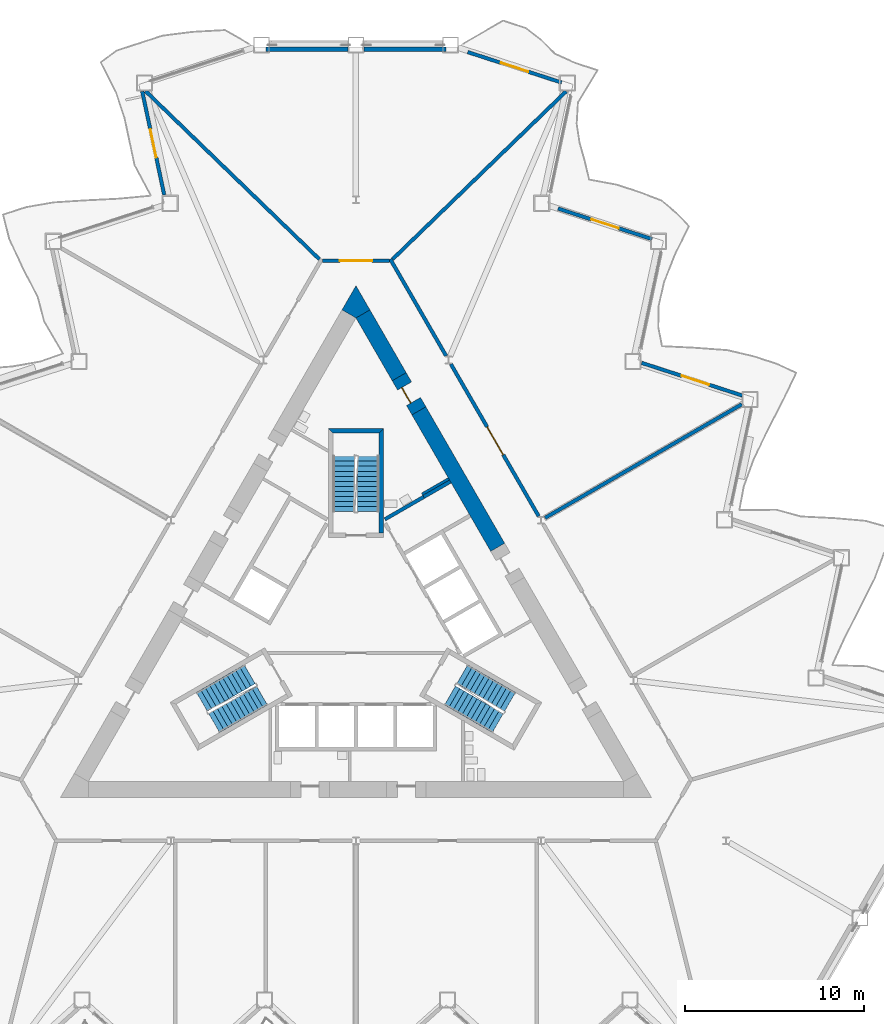
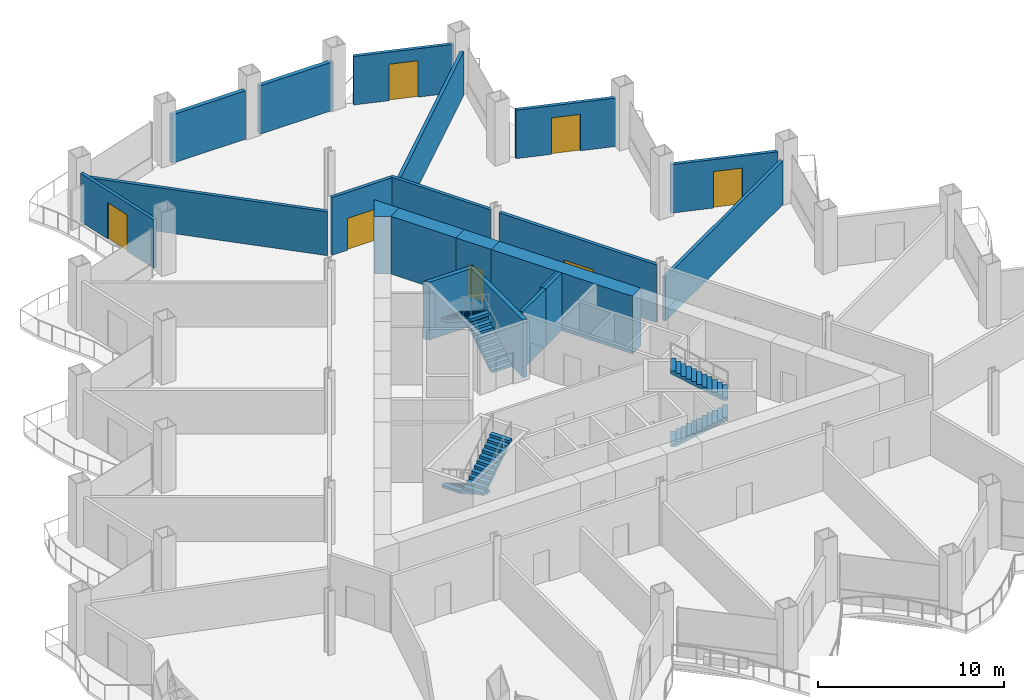
# One storey, part 13 of 21: 21 walls, 7 doors, 6 stair flights, 7 openings, 3 elements without a shape of their own.
"""IFC4 building model written with IfcOpenShell, lengths in metres."""

from ifc_helpers import new_model, si_unit, direction, frame, frame_2d, origin, place, context, subcontext, project, spatial, polyline, rectangle, outline, extrude, material, layer, layer_set, type_object, element, fill, aggregate, save


model = new_model("IFC4")

# Units and contexts
model_context = context("Model", 3, precision=1e-05, world=origin(), true_north=direction((0.0, 1.0)))
body_context = subcontext(model_context, "Body", "Model", "MODEL_VIEW")
ifc_project = project(units=[si_unit("LENGTHUNIT", "METRE"), si_unit("AREAUNIT", "SQUARE_METRE"), si_unit("VOLUMEUNIT", "CUBIC_METRE"), si_unit("PLANEANGLEUNIT", "RADIAN"), si_unit("MASSUNIT", "GRAM", prefix="KILO")], contexts=[model_context])

# Site, building, storey
site_placement = place(None, origin())
site = spatial("IfcSite", under=ifc_project, at=site_placement, CompositionType="ELEMENT")
building_placement = place(site_placement, origin())
building = spatial("IfcBuilding", under=site, at=building_placement, Name="Cormorant Prow Tower", CompositionType="ELEMENT")
storey_placement = place(building_placement, frame((0.0, 0.0, 124.800048828125)))
storey = spatial("IfcBuildingStorey", under=building, at=storey_placement, Name="L26", CompositionType="ELEMENT", Elevation=124.800048828125)

# Walls
ifc_material_1 = material(Name="Gypsum board partition")
ifc_layer_1 = layer(ifc_material_1, 0.14990234375)
ifc_layer_set_1 = layer_set([ifc_layer_1], Name="Gypsum board partition")
wall_type_1 = type_object("IfcWallType", Name="Core partition 150", PredefinedType="PARTITIONING", material=ifc_layer_set_1)
wall_1_placement = place(storey_placement, frame((3.693359375, 7.4150390625, 0.0), z_axis=(0.0, 0.0, 1.0), x_axis=(0.866024871741, 0.500000921525, 0.0)))
element("IfcWall", 1, at=wall_1_placement, inside=storey, type_object=wall_type_1, Name="Service room partition", PredefinedType="PARTITIONING", context=body_context, shape_type="SweptSolid", body=[
    extrude(rectangle(XDim=1.72021484375, YDim=0.14990234375, at=frame_2d((0.860107421875, 0.0))), origin(), (0.0, 0.0, 1.0), 3.800048828125),
])
ifc_material_2 = material(Name="Concrete 8000 psi", Category="concrete")
ifc_layer_2 = layer(ifc_material_2, 0.89990234375)
ifc_layer_set_2 = layer_set([ifc_layer_2], Name="Concrete 8000 psi")
wall_type_2 = type_object("IfcWallType", Name="Core shear wall 900", PredefinedType="SHEAR", material=ifc_layer_set_2)
wall_2_placement = place(storey_placement, frame((7.910400390625, 4.451416015625, 0.0), z_axis=(0.0, 0.0, 1.0), x_axis=(-0.500001962043, 0.866024270995, 0.0)))
element("IfcWall", 2, at=wall_2_placement, inside=storey, type_object=wall_type_2, Name="Core wall", PredefinedType="SHEAR", context=body_context, shape_type="SweptSolid", body=[
    extrude(rectangle(XDim=8.7958984375, YDim=0.89990234375, at=frame_2d((4.39794921875, 0.0))), origin(), (0.0, 0.0, 1.0), 3.800048828125),
])
wall_3_placement = place(storey_placement, frame((2.41259765625, 13.97412109375, 0.0), z_axis=(0.0, 0.0, 1.0), x_axis=(-0.500046330384, 0.865998653272, 0.0)))
element("IfcWall", 3, at=wall_3_placement, inside=storey, type_object=wall_type_2, Name="Core wall", PredefinedType="SHEAR", context=body_context, shape_type="SweptSolid", body=[
    extrude(rectangle(XDim=4.04541015625, YDim=0.89990234375, at=frame_2d((2.022705078125, 0.0))), origin(), (0.0, 0.0, 1.0), 3.800048828125),
])
wall_4_placement = place(storey_placement, origin())
element("IfcWall", 4, at=wall_4_placement, inside=storey, type_object=wall_type_2, Name="Core wall corner", PredefinedType="SHEAR", context=body_context, shape_type="SweptSolid", body=[
    extrude(outline(polyline([(-0.779296875, 17.70263671875), (0.0, 19.052490234375), (0.779296875, 17.70263671875), (0.0, 17.252685546875), (-0.779296875, 17.70263671875)])), origin(), (0.0, 0.0, 1.0), 3.800048828125),
])

# Wall, opening, door
wall_5_placement = place(storey_placement, frame((3.512451171875, 12.06884765625, 0.0), z_axis=(0.0, 0.0, 1.0), x_axis=(-0.499946605688, 0.86605622881, 0.0)))
wall_5 = element("IfcWall", 5, at=wall_5_placement, inside=storey, type_object=wall_type_2, Name="Core wall door panel", PredefinedType="SHEAR", context=body_context, shape_type="SweptSolid", body=[
    extrude(rectangle(XDim=2.199951171875, YDim=0.89990234375, at=frame_2d((1.10009765625, 0.0))), origin(), (0.0, 0.0, 1.0), 3.800048828125),
])
opening_1_placement = place(wall_5_placement, frame((0.60009765625, 0.0, 0.0)))
opening_1 = element("IfcOpeningElement", 6, at=opening_1_placement, cuts=wall_5, Name="Opening L26-C21", PredefinedType="OPENING", context=body_context, shape_type="SweptSolid", body=[
    extrude(rectangle(XDim=1.0, YDim=2.10009765625, at=frame_2d((0.5, 1.050048828125))), frame((0.0, 0.4599609375, 0.0), z_axis=(0.0, -1.0, 0.0), x_axis=(1.0, 0.0, 0.0)), (0.0, 0.0, 1.0), 0.919921875),
])
ifc_material_3 = material(Name="Painted steel", Category="steel")
door_type_1 = type_object("IfcDoorType", Name="Service door 1000x2100", OperationType="NOTDEFINED", PredefinedType="DOOR", material=ifc_material_3)
door_1_placement = place(opening_1_placement, origin())
door_1 = element("IfcDoor", 7, at=door_1_placement, inside=storey, type_object=door_type_1, Name="Core door, Toilets (men) L26", OperationType="SINGLE_SWING_RIGHT", OverallHeight=2.10009765625, OverallWidth=1.0, PredefinedType="DOOR", context=body_context, shape_type="SweptSolid", body=[
    extrude(rectangle(XDim=1.0, YDim=2.10009765625, at=frame_2d((0.5, 1.050048828125))), frame((0.0, 0.205078125, 0.0), z_axis=(0.0, -1.0, 0.0), x_axis=(1.0, 0.0, 0.0)), (0.0, 0.0, 1.0), 0.050048828125),
])
fill(opening_1, door_1)

ifc_material_4 = material(Name="Gypsum board corridor wall")
ifc_layer_3 = layer(ifc_material_4, 0.199951171875)
ifc_layer_set_3 = layer_set([ifc_layer_3], Name="Gypsum board corridor wall")
wall_type_3 = type_object("IfcWallType", Name="Corridor wall 200", PredefinedType="PARTITIONING", material=ifc_layer_set_3)
wall_6_placement = place(storey_placement, frame((5.29541015625, 14.680419921875, 0.0), z_axis=(0.0, 0.0, 1.0), x_axis=(0.500012035596, -0.866018454918, 0.0)))
wall_6 = element("IfcWall", 8, at=wall_6_placement, inside=storey, type_object=wall_type_3, Name="Corridor wall", PredefinedType="PARTITIONING", context=body_context, shape_type="SweptSolid", body=[
    extrude(rectangle(XDim=9.803466796875, YDim=0.199951171875, at=frame_2d((4.90185546875, 0.0))), origin(), (0.0, 0.0, 1.0), 3.800048828125),
])
opening_2_placement = place(wall_6_placement, frame((4.0517578125, 0.0, 0.0)))
opening_2 = element("IfcOpeningElement", 9, at=opening_2_placement, cuts=wall_6, Name="Opening L26-F09", PredefinedType="OPENING", context=body_context, shape_type="SweptSolid", body=[
    extrude(rectangle(XDim=1.800048828125, YDim=2.10009765625, at=frame_2d((0.89990234375, 1.050048828125))), frame((0.0, 0.10986328125, 0.0), z_axis=(0.0, -1.0, 0.0), x_axis=(1.0, 0.0, 0.0)), (0.0, 0.0, 1.0), 0.219970703125),
])
ifc_material_5 = material(Name="Timber door leaf", Category="wood")
door_type_2 = type_object("IfcDoorType", Name="Double door 1800x2100", OperationType="DOUBLE_DOOR_SINGLE_SWING", PredefinedType="DOOR", material=ifc_material_5)
door_2_placement = place(opening_2_placement, origin())
door_2 = element("IfcDoor", 10, at=door_2_placement, inside=storey, type_object=door_type_2, Name="Trading room door", OperationType="DOUBLE_DOOR_SINGLE_SWING", OverallHeight=2.10009765625, OverallWidth=1.800048828125, PredefinedType="DOOR", context=body_context, shape_type="SweptSolid", body=[
    extrude(rectangle(XDim=1.800048828125, YDim=2.10009765625, at=frame_2d((0.89990234375, 1.050048828125))), frame((0.0, 0.02490234375, 0.0), z_axis=(0.0, -1.0, 0.0), x_axis=(1.0, 0.0, 0.0)), (0.0, 0.0, 1.0), 0.050048828125),
])
fill(opening_2, door_2)

# Wall
wall_7_placement = place(storey_placement, frame((1.9130859375, 20.539306640625, 0.0), z_axis=(0.0, 0.0, 1.0), x_axis=(0.499980978912, -0.866036385336, 0.0)))
element("IfcWall", 11, at=wall_7_placement, inside=storey, type_object=wall_type_3, Name="Corridor wall", PredefinedType="PARTITIONING", context=body_context, shape_type="SweptSolid", body=[
    extrude(rectangle(XDim=6.239990234375, YDim=0.199951171875, at=frame_2d((3.1201171875, 0.0))), origin(), (0.0, 0.0, 1.0), 3.800048828125),
])

# Wall, opening, door
wall_8_placement = place(storey_placement, frame((-1.863037109375, 20.45263671875, 0.0), z_axis=(0.0, 0.0, 1.0), x_axis=(1.0, 0.0, 0.0)))
wall_8 = element("IfcWall", 12, at=wall_8_placement, inside=storey, type_object=wall_type_3, Name="Corridor wall", PredefinedType="PARTITIONING", context=body_context, shape_type="SweptSolid", body=[
    extrude(rectangle(XDim=3.72607421875, YDim=0.199951171875, at=frame_2d((1.863037109375, 0.0))), origin(), (0.0, 0.0, 1.0), 3.800048828125),
])
opening_3_placement = place(wall_8_placement, frame((0.962890625, 0.0, 0.0)))
opening_3 = element("IfcOpeningElement", 13, at=opening_3_placement, cuts=wall_8, Name="Opening L26-F10", PredefinedType="OPENING", context=body_context, shape_type="SweptSolid", body=[
    extrude(rectangle(XDim=1.800048828125, YDim=2.10009765625, at=frame_2d((0.89990234375, 1.050048828125))), frame((0.0, 0.10986328125, 0.0), z_axis=(0.0, -1.0, 0.0), x_axis=(1.0, 0.0, 0.0)), (0.0, 0.0, 1.0), 0.219970703125),
])
door_3_placement = place(opening_3_placement, origin())
door_3 = element("IfcDoor", 14, at=door_3_placement, inside=storey, type_object=door_type_2, Name="Open-plan office door", OperationType="DOUBLE_DOOR_SINGLE_SWING", OverallHeight=2.10009765625, OverallWidth=1.800048828125, PredefinedType="DOOR", context=body_context, shape_type="SweptSolid", body=[
    extrude(rectangle(XDim=1.800048828125, YDim=2.10009765625, at=frame_2d((0.89990234375, 1.050048828125))), frame((0.0, 0.02490234375, 0.0), z_axis=(0.0, -1.0, 0.0), x_axis=(1.0, 0.0, 0.0)), (0.0, 0.0, 1.0), 0.050048828125),
])
fill(opening_3, door_3)

# Walls
ifc_material_6 = material(Name="Gypsum board demising wall")
ifc_layer_4 = layer(ifc_material_6, 0.199951171875)
ifc_layer_set_4 = layer_set([ifc_layer_4], Name="Gypsum board demising wall")
wall_type_4 = type_object("IfcWallType", Name="Demising wall 200", PredefinedType="PARTITIONING", material=ifc_layer_set_4)
for number, where, z_axis, x_axis, name in (
    (15, (-11.737060546875, 29.90625, 0.0), (0.0, 0.0, 1.0), (0.718783474817, -0.695234001132, 0.0), "Demising wall"),
    (16, (2.034912109375, 20.52197265625, 0.0), (0.0, 0.0, 1.0), (0.718783474817, 0.695234001132, 0.0), "Demising wall"),
):
    element("IfcWall", number, at=place(storey_placement, frame(where, z_axis=z_axis, x_axis=x_axis)), inside=storey, type_object=wall_type_4, Name=name, PredefinedType="PARTITIONING", context=body_context, shape_type="SweptSolid", body=[
        extrude(rectangle(XDim=13.498046875, YDim=0.199951171875, at=frame_2d((6.7490234375, 0.0))), origin(), (0.0, 0.0, 1.0), 2.88525390625),
    ])
wall_9_placement = place(storey_placement, frame((10.555908203125, 6.094482421875, 0.0), z_axis=(0.0, 0.0, 1.0), x_axis=(0.86602461759, 0.500001361726, 0.0)))
element("IfcWall", 17, at=wall_9_placement, inside=storey, type_object=wall_type_4, Name="Demising wall", PredefinedType="PARTITIONING", context=body_context, shape_type="SweptSolid", body=[
    extrude(rectangle(XDim=12.67919921875, YDim=0.199951171875, at=frame_2d((6.339599609375, 0.0))), origin(), (0.0, 0.0, 1.0), 2.88525390625),
])
ifc_material_7 = material(Name="Concrete 8000 psi", Category="concrete")
ifc_layer_5 = layer(ifc_material_7, 0.199951171875)
ifc_layer_set_5 = layer_set([ifc_layer_5], Name="Concrete 8000 psi")
wall_type_5 = type_object("IfcWallType", Name="Lift shaft wall 200", PredefinedType="SHEAR", material=ifc_layer_set_5)
wall_10_placement = place(storey_placement, origin())
element("IfcWall", 18, at=wall_10_placement, inside=storey, type_object=wall_type_5, Name="Lift shaft walls, ENE block", PredefinedType="SHEAR", context=body_context, shape_type="SweptSolid", body=[
    extrude(outline(polyline([(1.560546875, 6.09716796875), (3.730712890625, 7.35009765625), (3.830810546875, 7.177001953125), (1.660400390625, 5.923828125), (1.560546875, 6.09716796875)])), origin(), (0.0, 0.0, 1.0), 3.800048828125),
])
wall_11_placement = place(storey_placement, frame((3.78076171875, 7.263427734375, 0.0), z_axis=(0.0, 0.0, 1.0), x_axis=(0.865963414263, 0.500107353632, 0.0)))
element("IfcWall", 19, at=wall_11_placement, inside=storey, type_object=wall_type_5, Name="Store side wall", PredefinedType="SHEAR", context=body_context, shape_type="SweptSolid", body=[
    extrude(rectangle(XDim=1.72021484375, YDim=0.199951171875, at=frame_2d((0.860107421875, 0.0))), origin(), (0.0, 0.0, 1.0), 3.800048828125),
])
ifc_material_8 = material(Name="Concrete 8000 psi", Category="concrete")
ifc_layer_6 = layer(ifc_material_8, 0.25)
ifc_layer_set_6 = layer_set([ifc_layer_6], Name="Concrete 8000 psi")
wall_type_6 = type_object("IfcWallType", Name="Stair wall 250", PredefinedType="SHEAR", material=ifc_layer_set_6)
wall_12_placement = place(storey_placement, origin())
element("IfcWall", 20, at=wall_12_placement, inside=storey, type_object=wall_type_6, Name="Stair ST3 enclosure wall (flank)", PredefinedType="SHEAR", context=body_context, shape_type="SweptSolid", body=[
    extrude(outline(polyline([(1.5439453125, 5.23681640625), (1.5439453125, 11.0869140625), (1.2939453125, 10.8369140625), (1.2939453125, 5.23681640625), (1.5439453125, 5.23681640625)])), origin(), (0.0, 0.0, 1.0), 3.800048828125),
])
wall_13_placement = place(storey_placement, origin())
element("IfcWall", 21, at=wall_13_placement, inside=storey, type_object=wall_type_6, Name="Stair ST3 enclosure wall (end)", PredefinedType="SHEAR", context=body_context, shape_type="SweptSolid", body=[
    extrude(outline(polyline([(1.5439453125, 11.0869140625), (-1.5439453125, 11.0869140625), (-1.2939453125, 10.8369140625), (1.2939453125, 10.8369140625), (1.5439453125, 11.0869140625)])), origin(), (0.0, 0.0, 1.0), 3.800048828125),
])
ifc_material_9 = material(Name="Terracotta", Category="masonry")
ifc_layer_7 = layer(ifc_material_9, 0.25)
ifc_layer_set_7 = layer_set([ifc_layer_7], Name="Terracotta")
wall_type_7 = type_object("IfcWallType", Name="Terracotta bay wall 250", PredefinedType="SOLIDWALL", material=ifc_layer_set_7)
for number, where, z_axis, x_axis, name in (
    (22, (5.025146484375, 32.261474609375, 0.0), (0.0, 0.0, 1.0), (-1.0, 0.0, 0.0), "Terracotta bay wall N00"),
    (23, (-0.449951171875, 32.261474609375, 0.0), (0.0, 0.0, 1.0), (-1.0, 0.0, 0.0), "Terracotta bay wall N01"),
):
    element("IfcWall", number, at=place(storey_placement, frame(where, z_axis=z_axis, x_axis=x_axis)), inside=storey, type_object=wall_type_7, Name=name, PredefinedType="SOLIDWALL", context=body_context, shape_type="SweptSolid", body=[
        extrude(rectangle(XDim=4.5751953125, YDim=0.25, at=frame_2d((2.28759765625, 0.0))), origin(), (0.0, 0.0, 1.0), 3.18896484375),
    ])

# Wall, opening, door
ifc_material_10 = material(Name="Terracotta", Category="masonry")
ifc_layer_8 = layer(ifc_material_10, 0.199951171875)
ifc_layer_set_8 = layer_set([ifc_layer_8], Name="Terracotta")
wall_type_8 = type_object("IfcWallType", Name="Terracotta jamb wall 200", PredefinedType="SOLIDWALL", material=ifc_layer_set_8)
wall_14_placement = place(storey_placement, frame((21.566650390625, 12.919921875, 0.0), z_axis=(0.0, 0.0, 1.0), x_axis=(-0.951051366173, 0.309032844373, 0.0)))
wall_14 = element("IfcWall", 24, at=wall_14_placement, inside=storey, type_object=wall_type_8, Name="Terracotta jamb wall ENE05", PredefinedType="SOLIDWALL", context=body_context, shape_type="SweptSolid", body=[
    extrude(rectangle(XDim=5.91162109375, YDim=0.199951171875, at=frame_2d((2.955810546875, 0.0))), origin(), (0.0, 0.0, 1.0), 3.18896484375),
])
opening_4_placement = place(wall_14_placement, frame((1.957275390625, 0.0, 0.0)))
opening_4 = element("IfcOpeningElement", 25, at=opening_4_placement, cuts=wall_14, Name="Opening ED26.08", PredefinedType="OPENING", context=body_context, shape_type="SweptSolid", body=[
    extrude(rectangle(XDim=1.60009765625, YDim=2.39990234375, at=frame_2d((0.800048828125, 1.199951171875))), frame((0.0, 0.10986328125, 0.0), z_axis=(0.0, -1.0, 0.0), x_axis=(1.0, 0.0, 0.0)), (0.0, 0.0, 1.0), 0.219970703125),
])
ifc_material_11 = material(Name="Aluminium 6063-T6", Category="aluminium")
door_type_3 = type_object("IfcDoorType", Name="Balcony door 1600x2400", OperationType="DOUBLE_DOOR_SINGLE_SWING", PredefinedType="DOOR", material=ifc_material_11)
door_4_placement = place(opening_4_placement, origin())
door_4 = element("IfcDoor", 26, at=door_4_placement, inside=storey, type_object=door_type_3, Name="Balcony door ENE05 ED26.08", OperationType="DOUBLE_DOOR_SINGLE_SWING", OverallHeight=2.39990234375, OverallWidth=1.60009765625, PredefinedType="DOOR", context=body_context, shape_type="SweptSolid", body=[
    extrude(rectangle(XDim=1.60009765625, YDim=2.39990234375, at=frame_2d((0.800048828125, 1.199951171875))), frame((0.0, 0.02490234375, 0.0), z_axis=(0.0, -1.0, 0.0), x_axis=(1.0, 0.0, 0.0)), (0.0, 0.0, 1.0), 0.050048828125),
])
fill(opening_4, door_4)

wall_15_placement = place(storey_placement, frame((16.523193359375, 21.6552734375, 0.0), z_axis=(0.0, 0.0, 1.0), x_axis=(-0.951055539332, 0.309020001142, 0.0)))
wall_15 = element("IfcWall", 27, at=wall_15_placement, inside=storey, type_object=wall_type_8, Name="Terracotta jamb wall ENE07", PredefinedType="SOLIDWALL", context=body_context, shape_type="SweptSolid", body=[
    extrude(rectangle(XDim=5.5146484375, YDim=0.199951171875, at=frame_2d((2.75732421875, 0.0))), origin(), (0.0, 0.0, 1.0), 3.18896484375),
])
opening_5_placement = place(wall_15_placement, frame((1.957275390625, 0.0, 0.0)))
opening_5 = element("IfcOpeningElement", 28, at=opening_5_placement, cuts=wall_15, Name="Opening ED26.09", PredefinedType="OPENING", context=body_context, shape_type="SweptSolid", body=[
    extrude(rectangle(XDim=1.60009765625, YDim=2.39990234375, at=frame_2d((0.800048828125, 1.199951171875))), frame((0.0, 0.10986328125, 0.0), z_axis=(0.0, -1.0, 0.0), x_axis=(1.0, 0.0, 0.0)), (0.0, 0.0, 1.0), 0.219970703125),
])
door_5_placement = place(opening_5_placement, origin())
door_5 = element("IfcDoor", 29, at=door_5_placement, inside=storey, type_object=door_type_3, Name="Balcony door ENE07 ED26.09", OperationType="DOUBLE_DOOR_SINGLE_SWING", OverallHeight=2.39990234375, OverallWidth=1.60009765625, PredefinedType="DOOR", context=body_context, shape_type="SweptSolid", body=[
    extrude(rectangle(XDim=1.60009765625, YDim=2.39990234375, at=frame_2d((0.800048828125, 1.199951171875))), frame((0.0, 0.02490234375, 0.0), z_axis=(0.0, -1.0, 0.0), x_axis=(1.0, 0.0, 0.0)), (0.0, 0.0, 1.0), 0.050048828125),
])
fill(opening_5, door_5)

wall_16_placement = place(storey_placement, frame((11.479736328125, 30.390869140625, 0.0), z_axis=(0.0, 0.0, 1.0), x_axis=(-0.951055539332, 0.309020001142, 0.0)))
wall_16 = element("IfcWall", 30, at=wall_16_placement, inside=storey, type_object=wall_type_8, Name="Terracotta jamb wall ENE09", PredefinedType="SOLIDWALL", context=body_context, shape_type="SweptSolid", body=[
    extrude(rectangle(XDim=5.5146484375, YDim=0.199951171875, at=frame_2d((2.75732421875, 0.0))), origin(), (0.0, 0.0, 1.0), 3.18896484375),
])
opening_6_placement = place(wall_16_placement, frame((1.957275390625, 0.0, 0.0)))
opening_6 = element("IfcOpeningElement", 31, at=opening_6_placement, cuts=wall_16, Name="Opening ED26.10", PredefinedType="OPENING", context=body_context, shape_type="SweptSolid", body=[
    extrude(rectangle(XDim=1.60009765625, YDim=2.39990234375, at=frame_2d((0.800048828125, 1.199951171875))), frame((0.0, 0.10986328125, 0.0), z_axis=(0.0, -1.0, 0.0), x_axis=(1.0, 0.0, 0.0)), (0.0, 0.0, 1.0), 0.219970703125),
])
door_6_placement = place(opening_6_placement, origin())
door_6 = element("IfcDoor", 32, at=door_6_placement, inside=storey, type_object=door_type_3, Name="Balcony door ENE09 ED26.10", OperationType="DOUBLE_DOOR_SINGLE_SWING", OverallHeight=2.39990234375, OverallWidth=1.60009765625, PredefinedType="DOOR", context=body_context, shape_type="SweptSolid", body=[
    extrude(rectangle(XDim=1.60009765625, YDim=2.39990234375, at=frame_2d((0.800048828125, 1.199951171875))), frame((0.0, 0.02490234375, 0.0), z_axis=(0.0, -1.0, 0.0), x_axis=(1.0, 0.0, 0.0)), (0.0, 0.0, 1.0), 0.050048828125),
])
fill(opening_6, door_6)

wall_17_placement = place(storey_placement, frame((-11.930419921875, 29.899658203125, 0.0), z_axis=(0.0, 0.0, 1.0), x_axis=(0.207917562075, -0.978146352741, 0.0)))
wall_17 = element("IfcWall", 33, at=wall_17_placement, inside=storey, type_object=wall_type_8, Name="Terracotta jamb wall WNW01", PredefinedType="SOLIDWALL", context=body_context, shape_type="SweptSolid", body=[
    extrude(rectangle(XDim=5.90869140625, YDim=0.199951171875, at=frame_2d((2.954345703125, 0.0))), origin(), (0.0, 0.0, 1.0), 3.18896484375),
])
opening_7_placement = place(wall_17_placement, frame((2.173583984375, 0.0, 0.0)))
opening_7 = element("IfcOpeningElement", 34, at=opening_7_placement, cuts=wall_17, Name="Opening ED26.11", PredefinedType="OPENING", context=body_context, shape_type="SweptSolid", body=[
    extrude(rectangle(XDim=1.60009765625, YDim=2.39990234375, at=frame_2d((0.800048828125, 1.199951171875))), frame((0.0, 0.10986328125, 0.0), z_axis=(0.0, -1.0, 0.0), x_axis=(1.0, 0.0, 0.0)), (0.0, 0.0, 1.0), 0.219970703125),
])
door_7_placement = place(opening_7_placement, origin())
door_7 = element("IfcDoor", 35, at=door_7_placement, inside=storey, type_object=door_type_3, Name="Balcony door WNW01 ED26.11", OperationType="DOUBLE_DOOR_SINGLE_SWING", OverallHeight=2.39990234375, OverallWidth=1.60009765625, PredefinedType="DOOR", context=body_context, shape_type="SweptSolid", body=[
    extrude(rectangle(XDim=1.60009765625, YDim=2.39990234375, at=frame_2d((0.800048828125, 1.199951171875))), frame((0.0, 0.02490234375, 0.0), z_axis=(0.0, -1.0, 0.0), x_axis=(1.0, 0.0, 0.0)), (0.0, 0.0, 1.0), 0.050048828125),
])
fill(opening_7, door_7)

# Stair, stair flights
ifc_material_12 = material(Name="Exit stair 24 risers")
stair_type = type_object("IfcStairType", Name="Exit stair 24 risers", PredefinedType="HALF_TURN_STAIR", material=ifc_material_12)
stair_1_placement = place(storey_placement, origin())
stair_1 = element("IfcStair", 36, at=stair_1_placement, inside=storey, type_object=stair_type, Name="L26 Exit stair ST1", PredefinedType="HALF_TURN_STAIR")
ifc_material_13 = material(Name="Concrete 5000 psi", Category="concrete")
stair_flight_type = type_object("IfcStairFlightType", Name="Stair flight 1219", PredefinedType="STRAIGHT", material=ifc_material_13)
stair_flight_1_placement = place(storey_placement, frame((-5.93310546875, -2.635009765625, 0.0), z_axis=(0.0, 0.0, 1.0), x_axis=(-0.866025403784, -0.5, 0.0)))
stair_flight_1 = element("IfcStairFlight", 37, at=stair_flight_1_placement, type_object=stair_flight_type, Name="ST1 flight 1", NumberOfRisers=12, NumberOfTreads=11, PredefinedType="STRAIGHT", RiserHeight=0.175, TreadLength=0.28, context=body_context, shape_type="SweptSolid", body=[
    extrude(outline(polyline([(0.0, 0.0), (0.0, 0.175048828125), (0.280029296875, 0.175048828125), (0.280029296875, 0.35009765625), (0.56005859375, 0.35009765625), (0.56005859375, 0.52490234375), (0.840087890625, 0.52490234375), (0.840087890625, 0.699951171875), (1.1201171875, 0.699951171875), (1.1201171875, 0.875), (1.39990234375, 0.875), (1.39990234375, 1.050048828125), (1.679931640625, 1.050048828125), (1.679931640625, 1.22509765625), (1.9599609375, 1.22509765625), (1.9599609375, 1.39990234375), (2.239990234375, 1.39990234375), (2.239990234375, 1.574951171875), (2.52001953125, 1.574951171875), (2.52001953125, 1.75), (2.800048828125, 1.75), (2.800048828125, 1.925048828125), (3.080078125, 1.925048828125), (3.080078125, 2.10009765625), (3.080078125, 1.748291015625), (0.28271484375, 0.0), (0.0, 0.0)])), frame((0.0, 0.609375, 0.0), z_axis=(0.0, -1.0, 0.0), x_axis=(1.0, 0.0, 0.0)), (0.0, 0.0, 1.0), 1.218994140625),
])
stair_flight_2_placement = place(storey_placement, frame((-7.916015625, -5.360595703125, 2.099853515625), z_axis=(0.0, 0.0, 1.0), x_axis=(0.866025403784, 0.5, 0.0)))
stair_flight_2 = element("IfcStairFlight", 38, at=stair_flight_2_placement, type_object=stair_flight_type, Name="ST1 flight 2", NumberOfRisers=12, NumberOfTreads=11, PredefinedType="STRAIGHT", RiserHeight=0.175, TreadLength=0.28, context=body_context, shape_type="SweptSolid", body=[
    extrude(outline(polyline([(0.0, 0.0), (0.0, 0.175048828125), (0.280029296875, 0.175048828125), (0.280029296875, 0.35009765625), (0.56005859375, 0.35009765625), (0.56005859375, 0.52490234375), (0.840087890625, 0.52490234375), (0.840087890625, 0.699951171875), (1.1201171875, 0.699951171875), (1.1201171875, 0.875), (1.39990234375, 0.875), (1.39990234375, 1.050048828125), (1.679931640625, 1.050048828125), (1.679931640625, 1.22509765625), (1.9599609375, 1.22509765625), (1.9599609375, 1.39990234375), (2.239990234375, 1.39990234375), (2.239990234375, 1.574951171875), (2.52001953125, 1.574951171875), (2.52001953125, 1.75), (2.800048828125, 1.75), (2.800048828125, 1.925048828125), (3.080078125, 1.925048828125), (3.080078125, 2.10009765625), (3.080078125, 1.748291015625), (0.28271484375, 0.0), (0.0, 0.0)])), frame((0.0, 0.609375, 0.0), z_axis=(0.0, -1.0, 0.0), x_axis=(1.0, 0.0, 0.0)), (0.0, 0.0, 1.0), 1.218994140625),
])
aggregate(stair_1, [stair_flight_1, stair_flight_2])

stair_2_placement = place(storey_placement, origin())
stair_2 = element("IfcStair", 39, at=stair_2_placement, inside=storey, type_object=stair_type, Name="L26 Exit stair ST2", PredefinedType="HALF_TURN_STAIR")
stair_flight_3_placement = place(storey_placement, frame((5.24853515625, -3.82080078125, 0.0), z_axis=(0.0, 0.0, 1.0), x_axis=(0.866025403784, -0.5, 0.0)))
stair_flight_3 = element("IfcStairFlight", 40, at=stair_flight_3_placement, type_object=stair_flight_type, Name="ST2 flight 1", NumberOfRisers=12, NumberOfTreads=11, PredefinedType="STRAIGHT", RiserHeight=0.175, TreadLength=0.28, context=body_context, shape_type="SweptSolid", body=[
    extrude(outline(polyline([(0.0, 0.0), (0.0, 0.175048828125), (0.280029296875, 0.175048828125), (0.280029296875, 0.35009765625), (0.56005859375, 0.35009765625), (0.56005859375, 0.52490234375), (0.840087890625, 0.52490234375), (0.840087890625, 0.699951171875), (1.1201171875, 0.699951171875), (1.1201171875, 0.875), (1.39990234375, 0.875), (1.39990234375, 1.050048828125), (1.679931640625, 1.050048828125), (1.679931640625, 1.22509765625), (1.9599609375, 1.22509765625), (1.9599609375, 1.39990234375), (2.239990234375, 1.39990234375), (2.239990234375, 1.574951171875), (2.52001953125, 1.574951171875), (2.52001953125, 1.75), (2.800048828125, 1.75), (2.800048828125, 1.925048828125), (3.080078125, 1.925048828125), (3.080078125, 2.10009765625), (3.080078125, 1.748291015625), (0.28271484375, 0.0), (0.0, 0.0)])), frame((0.0, 0.609375, 0.0), z_axis=(0.0, -1.0, 0.0), x_axis=(1.0, 0.0, 0.0)), (0.0, 0.0, 1.0), 1.218994140625),
])
stair_flight_4_placement = place(storey_placement, frame((8.6005859375, -4.175048828125, 2.099853515625), z_axis=(0.0, 0.0, 1.0), x_axis=(-0.866025403784, 0.5, 0.0)))
stair_flight_4 = element("IfcStairFlight", 41, at=stair_flight_4_placement, type_object=stair_flight_type, Name="ST2 flight 2", NumberOfRisers=12, NumberOfTreads=11, PredefinedType="STRAIGHT", RiserHeight=0.175, TreadLength=0.28, context=body_context, shape_type="SweptSolid", body=[
    extrude(outline(polyline([(0.0, 0.0), (0.0, 0.175048828125), (0.280029296875, 0.175048828125), (0.280029296875, 0.35009765625), (0.56005859375, 0.35009765625), (0.56005859375, 0.52490234375), (0.840087890625, 0.52490234375), (0.840087890625, 0.699951171875), (1.1201171875, 0.699951171875), (1.1201171875, 0.875), (1.39990234375, 0.875), (1.39990234375, 1.050048828125), (1.679931640625, 1.050048828125), (1.679931640625, 1.22509765625), (1.9599609375, 1.22509765625), (1.9599609375, 1.39990234375), (2.239990234375, 1.39990234375), (2.239990234375, 1.574951171875), (2.52001953125, 1.574951171875), (2.52001953125, 1.75), (2.800048828125, 1.75), (2.800048828125, 1.925048828125), (3.080078125, 1.925048828125), (3.080078125, 2.10009765625), (3.080078125, 1.748291015625), (0.28271484375, 0.0), (0.0, 0.0)])), frame((0.0, 0.609375, 0.0), z_axis=(0.0, -1.0, 0.0), x_axis=(1.0, 0.0, 0.0)), (0.0, 0.0, 1.0), 1.218994140625),
])
aggregate(stair_2, [stair_flight_3, stair_flight_4])

stair_3_placement = place(storey_placement, origin())
stair_3 = element("IfcStair", 42, at=stair_3_placement, inside=storey, type_object=stair_type, Name="L26 Exit stair ST3", PredefinedType="HALF_TURN_STAIR")
stair_flight_5_placement = place(storey_placement, frame((0.6845703125, 6.455810546875, 0.0), z_axis=(0.0, 0.0, 1.0), x_axis=(0.0, 1.0, 0.0)))
stair_flight_5 = element("IfcStairFlight", 43, at=stair_flight_5_placement, type_object=stair_flight_type, Name="ST3 flight 1", NumberOfRisers=12, NumberOfTreads=11, PredefinedType="STRAIGHT", RiserHeight=0.175, TreadLength=0.28, context=body_context, shape_type="SweptSolid", body=[
    extrude(outline(polyline([(0.0, 0.0), (0.0, 0.175048828125), (0.280029296875, 0.175048828125), (0.280029296875, 0.35009765625), (0.56005859375, 0.35009765625), (0.56005859375, 0.52490234375), (0.840087890625, 0.52490234375), (0.840087890625, 0.699951171875), (1.1201171875, 0.699951171875), (1.1201171875, 0.875), (1.39990234375, 0.875), (1.39990234375, 1.050048828125), (1.679931640625, 1.050048828125), (1.679931640625, 1.22509765625), (1.9599609375, 1.22509765625), (1.9599609375, 1.39990234375), (2.239990234375, 1.39990234375), (2.239990234375, 1.574951171875), (2.52001953125, 1.574951171875), (2.52001953125, 1.75), (2.800048828125, 1.75), (2.800048828125, 1.925048828125), (3.080078125, 1.925048828125), (3.080078125, 2.10009765625), (3.080078125, 1.748291015625), (0.28271484375, 0.0), (0.0, 0.0)])), frame((0.0, 0.609375, 0.0), z_axis=(0.0, -1.0, 0.0), x_axis=(1.0, 0.0, 0.0)), (0.0, 0.0, 1.0), 1.218994140625),
])
stair_flight_6_placement = place(storey_placement, frame((-0.6845703125, 9.535888671875, 2.099853515625), z_axis=(0.0, 0.0, 1.0), x_axis=(0.0, -1.0, 0.0)))
stair_flight_6 = element("IfcStairFlight", 44, at=stair_flight_6_placement, type_object=stair_flight_type, Name="ST3 flight 2", NumberOfRisers=12, NumberOfTreads=11, PredefinedType="STRAIGHT", RiserHeight=0.175, TreadLength=0.28, context=body_context, shape_type="SweptSolid", body=[
    extrude(outline(polyline([(0.0, 0.0), (0.0, 0.175048828125), (0.280029296875, 0.175048828125), (0.280029296875, 0.35009765625), (0.56005859375, 0.35009765625), (0.56005859375, 0.52490234375), (0.840087890625, 0.52490234375), (0.840087890625, 0.699951171875), (1.1201171875, 0.699951171875), (1.1201171875, 0.875), (1.39990234375, 0.875), (1.39990234375, 1.050048828125), (1.679931640625, 1.050048828125), (1.679931640625, 1.22509765625), (1.9599609375, 1.22509765625), (1.9599609375, 1.39990234375), (2.239990234375, 1.39990234375), (2.239990234375, 1.574951171875), (2.52001953125, 1.574951171875), (2.52001953125, 1.75), (2.800048828125, 1.75), (2.800048828125, 1.925048828125), (3.080078125, 1.925048828125), (3.080078125, 2.10009765625), (3.080078125, 1.748291015625), (0.28271484375, 0.0), (0.0, 0.0)])), frame((0.0, 0.609375, 0.0), z_axis=(0.0, -1.0, 0.0), x_axis=(1.0, 0.0, 0.0)), (0.0, 0.0, 1.0), 1.218994140625),
])
aggregate(stair_3, [stair_flight_5, stair_flight_6])

save(model, "model.ifc")
